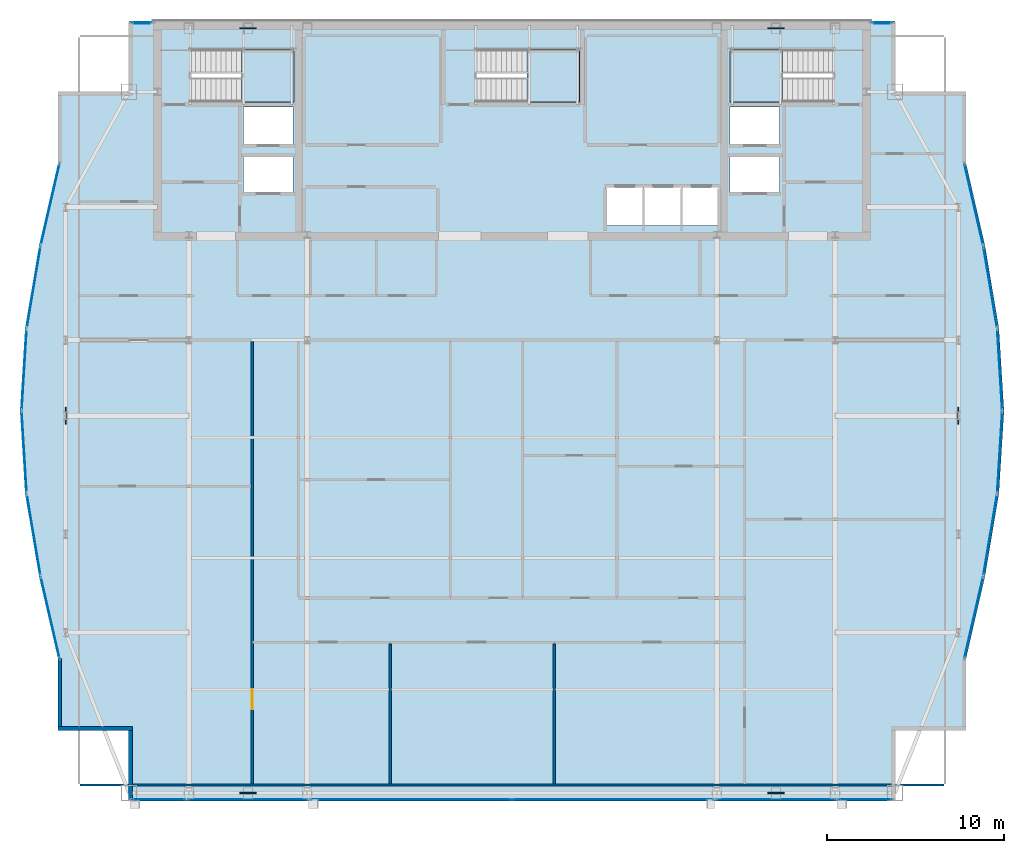
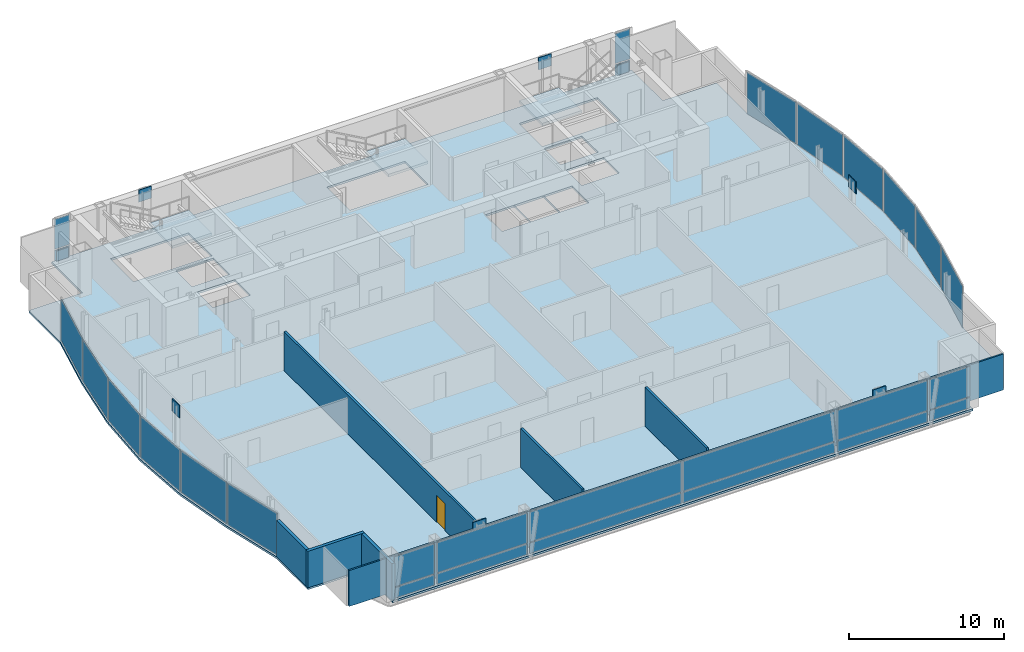
# One storey, part 23 of 29: 36 plates, 7 walls, 4 slabs, 1 door, 1 opening, 22 elements without a shape of their own.
"""IFC4 building model written with IfcOpenShell, lengths in metres."""

from ifc_helpers import new_model, si_unit, direction, frame, frame_2d, origin, origin_2d, place, context, subcontext, project, spatial, polyline, rectangle, outline, extrude, material, layer, layer_set, type_object, element, fill, aggregate, save


model = new_model("IFC4")

# Units and contexts
model_context = context("Model", 3, precision=1e-05, world=origin(), true_north=direction((0.0, 1.0)))
body_context = subcontext(model_context, "Body", "Model", "MODEL_VIEW")
ifc_project = project(units=[si_unit("LENGTHUNIT", "METRE"), si_unit("AREAUNIT", "SQUARE_METRE"), si_unit("VOLUMEUNIT", "CUBIC_METRE"), si_unit("PLANEANGLEUNIT", "RADIAN"), si_unit("MASSUNIT", "GRAM", prefix="KILO")], contexts=[model_context])

# Site, building, storey
site_placement = place(None, origin())
site = spatial("IfcSite", under=ifc_project, at=site_placement, CompositionType="ELEMENT")
building_placement = place(site_placement, origin())
building = spatial("IfcBuilding", under=site, at=building_placement, Name="Khoronbel Lancet Exchange", CompositionType="ELEMENT")
storey_placement = place(building_placement, frame((0.0, 0.0, 321.800048828125)))
storey = spatial("IfcBuildingStorey", under=building, at=storey_placement, Name="L83", CompositionType="ELEMENT", Elevation=321.800048828125)

# Curtain wall, plate
ifc_material_1 = material(Name="Low-E Solar Control Insulating Glass", Category="glass")
curtain_wall_type_1 = type_object("IfcCurtainWallType", Name="CW-4", PredefinedType="NOTDEFINED", material=ifc_material_1)
curtain_wall_1_placement = place(storey_placement, origin())
curtain_wall_1 = element("IfcCurtainWall", 1, at=curtain_wall_1_placement, inside=storey, type_object=curtain_wall_type_1, Name="Unitised curtain wall CW-L83-E05", PredefinedType="NOTDEFINED")
ifc_material_2 = material(Name="Bronze-Anodised Aluminium 6063-T6", Category="aluminium")
ifc_layer_1 = layer(ifc_material_2, 0.050048828125, Name="Bronze-Anodised Aluminium 6063-T6")
ifc_layer_set_1 = layer_set([ifc_layer_1], Name="Bronze-Anodised Aluminium 6063-T6")
plate_type_1 = type_object("IfcPlateType", Name="PLT-CSP1", PredefinedType="SHEET", material=ifc_layer_set_1)
plate_1_placement = place(storey_placement, frame((9.470458984375, 24.7138671875, 0.0849609375), z_axis=(0.0, 0.0, 1.0), x_axis=(-0.166303402909, 0.986074631142, 0.0)))
plate_1 = element("IfcPlate", 2, at=plate_1_placement, type_object=plate_type_1, Name="CW4 panel 1.1", PredefinedType="CURTAIN_PANEL", context=body_context, shape_type="SweptSolid", body=[
    extrude(rectangle(XDim=4.5751953125, YDim=0.0380859375, at=origin_2d()), origin(), (0.0, 0.0, 1.0), 3.27001953125),
])
aggregate(curtain_wall_1, [plate_1])

curtain_wall_2_placement = place(storey_placement, origin())
curtain_wall_2 = element("IfcCurtainWall", 3, at=curtain_wall_2_placement, inside=storey, type_object=curtain_wall_type_1, Name="Unitised curtain wall CW-L83-E06", PredefinedType="NOTDEFINED")
plate_2_placement = place(storey_placement, frame((8.933837890625, 29.371826171875, 0.0849609375), z_axis=(0.0, 0.0, 1.0), x_axis=(-0.061582917317, 0.99810197089, 0.0)))
plate_2 = element("IfcPlate", 4, at=plate_2_placement, type_object=plate_type_1, Name="CW4 panel 1.1", PredefinedType="CURTAIN_PANEL", context=body_context, shape_type="SweptSolid", body=[
    extrude(rectangle(XDim=4.51513671875, YDim=0.0380859375, at=origin_2d()), origin(), (0.0, 0.0, 1.0), 3.27001953125),
])
aggregate(curtain_wall_2, [plate_2])

curtain_wall_3_placement = place(storey_placement, origin())
curtain_wall_3 = element("IfcCurtainWall", 5, at=curtain_wall_3_placement, inside=storey, type_object=curtain_wall_type_1, Name="Unitised curtain wall CW-L83-E07", PredefinedType="NOTDEFINED")
plate_3_placement = place(storey_placement, frame((8.933837890625, 34.0283203125, 0.0849609375), z_axis=(0.0, 0.0, 1.0), x_axis=(0.061582917317, 0.99810197089, 0.0)))
plate_3 = element("IfcPlate", 6, at=plate_3_placement, type_object=plate_type_1, Name="CW4 panel 1.1", PredefinedType="CURTAIN_PANEL", context=body_context, shape_type="SweptSolid", body=[
    extrude(rectangle(XDim=4.51513671875, YDim=0.0380859375, at=origin_2d()), origin(), (0.0, 0.0, 1.0), 3.27001953125),
])
aggregate(curtain_wall_3, [plate_3])

curtain_wall_4_placement = place(storey_placement, origin())
curtain_wall_4 = element("IfcCurtainWall", 7, at=curtain_wall_4_placement, inside=storey, type_object=curtain_wall_type_1, Name="Unitised curtain wall CW-L83-E08", PredefinedType="NOTDEFINED")
plate_4_placement = place(storey_placement, frame((9.470458984375, 38.68603515625, 0.0849609375), z_axis=(0.0, 0.0, 1.0), x_axis=(0.166303402909, 0.986074631142, 0.0)))
plate_4 = element("IfcPlate", 8, at=plate_4_placement, type_object=plate_type_1, Name="CW4 panel 1.1", PredefinedType="CURTAIN_PANEL", context=body_context, shape_type="SweptSolid", body=[
    extrude(rectangle(XDim=4.5751953125, YDim=0.0380859375, at=origin_2d()), origin(), (0.0, 0.0, 1.0), 3.27001953125),
])
aggregate(curtain_wall_4, [plate_4])

curtain_wall_type_2 = type_object("IfcCurtainWallType", Name="CW-3", PredefinedType="NOTDEFINED", material=ifc_material_1)
curtain_wall_5_placement = place(storey_placement, origin())
curtain_wall_5 = element("IfcCurtainWall", 9, at=curtain_wall_5_placement, inside=storey, type_object=curtain_wall_type_2, Name="Unitised curtain wall CW-L83-NWFLK", PredefinedType="NOTDEFINED")
plate_5_placement = place(storey_placement, frame((15.580078125, 53.550048828125, 0.0498046875), z_axis=(0.0, 0.0, 1.0), x_axis=(-1.0, 0.0, 0.0)))
plate_5 = element("IfcPlate", 10, at=plate_5_placement, type_object=plate_type_1, Name="Insulated bronze spandrel cassette CW-L83-NWFLK", PredefinedType="SHEET", context=body_context, shape_type="SweptSolid", body=[
    extrude(rectangle(XDim=0.89599609375, YDim=0.050048828125, at=origin_2d()), origin(), (0.0, 0.0, 1.0), 0.800048828125),
])

curtain_wall_6_placement = place(storey_placement, origin())
curtain_wall_6 = element("IfcCurtainWall", 11, at=curtain_wall_6_placement, inside=storey, type_object=curtain_wall_type_2, Name="Unitised curtain wall CW-L83-NEFLK", PredefinedType="NOTDEFINED")
plate_6_placement = place(storey_placement, frame((57.320068359375, 53.550048828125, 0.0498046875), z_axis=(0.0, 0.0, 1.0), x_axis=(-1.0, 0.0, 0.0)))
plate_6 = element("IfcPlate", 12, at=plate_6_placement, type_object=plate_type_1, Name="Insulated bronze spandrel cassette CW-L83-NEFLK", PredefinedType="SHEET", context=body_context, shape_type="SweptSolid", body=[
    extrude(rectangle(XDim=0.89599609375, YDim=0.050048828125, at=origin_2d()), origin(), (0.0, 0.0, 1.0), 0.800048828125),
])

curtain_wall_7_placement = place(storey_placement, origin())
curtain_wall_7 = element("IfcCurtainWall", 13, at=curtain_wall_7_placement, inside=storey, type_object=curtain_wall_type_1, Name="Unitised curtain wall CW-L83-E18", PredefinedType="NOTDEFINED")
plate_7_placement = place(storey_placement, frame((63.4296875, 38.68603515625, 0.0849609375), z_axis=(0.0, 0.0, 1.0), x_axis=(0.166303402909, -0.986074631142, 0.0)))
plate_7 = element("IfcPlate", 14, at=plate_7_placement, type_object=plate_type_1, Name="CW4 panel 1.1", PredefinedType="CURTAIN_PANEL", context=body_context, shape_type="SweptSolid", body=[
    extrude(rectangle(XDim=4.5751953125, YDim=0.0380859375, at=origin_2d()), origin(), (0.0, 0.0, 1.0), 3.27001953125),
])
aggregate(curtain_wall_7, [plate_7])

curtain_wall_8_placement = place(storey_placement, origin())
curtain_wall_8 = element("IfcCurtainWall", 15, at=curtain_wall_8_placement, inside=storey, type_object=curtain_wall_type_1, Name="Unitised curtain wall CW-L83-E19", PredefinedType="NOTDEFINED")
plate_8_placement = place(storey_placement, frame((63.966064453125, 34.0283203125, 0.0849609375), z_axis=(0.0, 0.0, 1.0), x_axis=(0.061582917317, -0.99810197089, 0.0)))
plate_8 = element("IfcPlate", 16, at=plate_8_placement, type_object=plate_type_1, Name="CW4 panel 1.1", PredefinedType="CURTAIN_PANEL", context=body_context, shape_type="SweptSolid", body=[
    extrude(rectangle(XDim=4.51513671875, YDim=0.0380859375, at=origin_2d()), origin(), (0.0, 0.0, 1.0), 3.27001953125),
])
aggregate(curtain_wall_8, [plate_8])

curtain_wall_9_placement = place(storey_placement, origin())
curtain_wall_9 = element("IfcCurtainWall", 17, at=curtain_wall_9_placement, inside=storey, type_object=curtain_wall_type_1, Name="Unitised curtain wall CW-L83-E20", PredefinedType="NOTDEFINED")
plate_9_placement = place(storey_placement, frame((63.966064453125, 29.371826171875, 0.0849609375), z_axis=(0.0, 0.0, 1.0), x_axis=(-0.061582917317, -0.99810197089, 0.0)))
plate_9 = element("IfcPlate", 18, at=plate_9_placement, type_object=plate_type_1, Name="CW4 panel 1.1", PredefinedType="CURTAIN_PANEL", context=body_context, shape_type="SweptSolid", body=[
    extrude(rectangle(XDim=4.51513671875, YDim=0.0380859375, at=origin_2d()), origin(), (0.0, 0.0, 1.0), 3.27001953125),
])
aggregate(curtain_wall_9, [plate_9])

curtain_wall_10_placement = place(storey_placement, origin())
curtain_wall_10 = element("IfcCurtainWall", 19, at=curtain_wall_10_placement, inside=storey, type_object=curtain_wall_type_1, Name="Unitised curtain wall CW-L83-E21", PredefinedType="NOTDEFINED")
plate_10_placement = place(storey_placement, frame((63.4296875, 24.7138671875, 0.0849609375), z_axis=(0.0, 0.0, 1.0), x_axis=(-0.166303402909, -0.986074631142, 0.0)))
plate_10 = element("IfcPlate", 20, at=plate_10_placement, type_object=plate_type_1, Name="CW4 panel 1.1", PredefinedType="CURTAIN_PANEL", context=body_context, shape_type="SweptSolid", body=[
    extrude(rectangle(XDim=4.5751953125, YDim=0.0380859375, at=origin_2d()), origin(), (0.0, 0.0, 1.0), 3.27001953125),
])
aggregate(curtain_wall_10, [plate_10])

# Curtain wall, plates
curtain_wall_11_placement = place(storey_placement, origin())
curtain_wall_11 = element("IfcCurtainWall", 21, at=curtain_wall_11_placement, inside=storey, type_object=curtain_wall_type_2, Name="Unitised curtain wall CW-L83-SWB", PredefinedType="NOTDEFINED")
plate_11_placement = place(storey_placement, frame((21.550048828125, 9.7900390625, 0.0849609375), z_axis=(0.0, 0.0, 1.0), x_axis=(1.0, 0.0, 0.0)))
plate_11 = element("IfcPlate", 22, at=plate_11_placement, type_object=plate_type_1, Name="CW3 panel 1.1", PredefinedType="CURTAIN_PANEL", context=body_context, shape_type="SweptSolid", body=[
    extrude(rectangle(XDim=6.72998046875, YDim=0.0380859375, at=origin_2d()), origin(), (0.0, 0.0, 1.0), 0.822509765625),
])
plate_12_placement = place(storey_placement, frame((21.550048828125, 9.7900390625, 0.9921875), z_axis=(0.0, 0.0, 1.0), x_axis=(1.0, 0.0, 0.0)))
plate_12 = element("IfcPlate", 23, at=plate_12_placement, type_object=plate_type_1, Name="CW3 panel 1.2", PredefinedType="CURTAIN_PANEL", context=body_context, shape_type="SweptSolid", body=[
    extrude(rectangle(XDim=6.72998046875, YDim=0.0380859375, at=origin_2d()), origin(), (0.0, 0.0, 1.0), 2.362548828125),
])
aggregate(curtain_wall_11, [plate_11, plate_12])

curtain_wall_12_placement = place(storey_placement, origin())
curtain_wall_12 = element("IfcCurtainWall", 24, at=curtain_wall_12_placement, inside=storey, type_object=curtain_wall_type_2, Name="Unitised curtain wall CW-L83-SEB", PredefinedType="NOTDEFINED")
plate_13_placement = place(storey_placement, frame((51.35009765625, 9.7900390625, 0.0849609375), z_axis=(0.0, 0.0, 1.0), x_axis=(1.0, 0.0, 0.0)))
plate_13 = element("IfcPlate", 25, at=plate_13_placement, type_object=plate_type_1, Name="CW3 panel 1.1", PredefinedType="CURTAIN_PANEL", context=body_context, shape_type="SweptSolid", body=[
    extrude(rectangle(XDim=6.72998046875, YDim=0.0380859375, at=origin_2d()), origin(), (0.0, 0.0, 1.0), 0.822509765625),
])
plate_14_placement = place(storey_placement, frame((51.35009765625, 9.7900390625, 0.9921875), z_axis=(0.0, 0.0, 1.0), x_axis=(1.0, 0.0, 0.0)))
plate_14 = element("IfcPlate", 26, at=plate_14_placement, type_object=plate_type_1, Name="CW3 panel 1.2", PredefinedType="CURTAIN_PANEL", context=body_context, shape_type="SweptSolid", body=[
    extrude(rectangle(XDim=6.72998046875, YDim=0.0380859375, at=origin_2d()), origin(), (0.0, 0.0, 1.0), 2.362548828125),
])
aggregate(curtain_wall_12, [plate_13, plate_14])

# Plate
ifc_layer_2 = layer(ifc_material_1, 0.035888671875, Name="Low-E Solar Control Insulating Glass")
ifc_layer_set_2 = layer_set([ifc_layer_2], Name="Low-E Solar Control Insulating Glass")
plate_type_2 = type_object("IfcPlateType", Name="PLT-CWP1", PredefinedType="CURTAIN_PANEL", material=ifc_layer_set_2)
plate_15_placement = place(storey_placement, frame((15.580078125, 53.610107421875, 0.0849609375), z_axis=(0.0, 0.0, 1.0), x_axis=(-1.0, 0.0, 0.0)))
plate_15 = element("IfcPlate", 27, at=plate_15_placement, type_object=plate_type_2, Name="CW3 panel 1.1", PredefinedType="CURTAIN_PANEL", context=body_context, shape_type="SweptSolid", body=[
    extrude(rectangle(XDim=1.110107421875, YDim=0.0380859375, at=origin_2d()), origin(), (0.0, 0.0, 1.0), 0.822509765625),
])

plate_16_placement = place(storey_placement, frame((15.580078125, 53.610107421875, 0.9921875), z_axis=(0.0, 0.0, 1.0), x_axis=(-1.0, 0.0, 0.0)))
plate_16 = element("IfcPlate", 28, at=plate_16_placement, type_object=plate_type_2, Name="CW3 panel 1.2", PredefinedType="CURTAIN_PANEL", context=body_context, shape_type="SweptSolid", body=[
    extrude(rectangle(XDim=1.110107421875, YDim=0.0380859375, at=origin_2d()), origin(), (0.0, 0.0, 1.0), 2.362548828125),
])

aggregate(curtain_wall_5, [plate_15, plate_16, plate_5])

plate_17_placement = place(storey_placement, frame((57.320068359375, 53.610107421875, 0.0849609375), z_axis=(0.0, 0.0, 1.0), x_axis=(-1.0, 0.0, 0.0)))
plate_17 = element("IfcPlate", 29, at=plate_17_placement, type_object=plate_type_2, Name="CW3 panel 1.1", PredefinedType="CURTAIN_PANEL", context=body_context, shape_type="SweptSolid", body=[
    extrude(rectangle(XDim=1.110107421875, YDim=0.0380859375, at=origin_2d()), origin(), (0.0, 0.0, 1.0), 0.822509765625),
])

plate_18_placement = place(storey_placement, frame((57.320068359375, 53.610107421875, 0.9921875), z_axis=(0.0, 0.0, 1.0), x_axis=(-1.0, 0.0, 0.0)))
plate_18 = element("IfcPlate", 30, at=plate_18_placement, type_object=plate_type_2, Name="CW3 panel 1.2", PredefinedType="CURTAIN_PANEL", context=body_context, shape_type="SweptSolid", body=[
    extrude(rectangle(XDim=1.110107421875, YDim=0.0380859375, at=origin_2d()), origin(), (0.0, 0.0, 1.0), 2.362548828125),
])

aggregate(curtain_wall_6, [plate_17, plate_18, plate_6])

# Curtain wall, plates
curtain_wall_13_placement = place(storey_placement, origin())
curtain_wall_13 = element("IfcCurtainWall", 31, at=curtain_wall_13_placement, inside=storey, type_object=curtain_wall_type_2, Name="Unitised curtain wall CW-L83-SWV", PredefinedType="NOTDEFINED")
plate_19_placement = place(storey_placement, frame((16.52001953125, 9.7900390625, 0.0849609375), z_axis=(0.0, 0.0, 1.0), x_axis=(1.0, 0.0, 0.0)))
plate_19 = element("IfcPlate", 32, at=plate_19_placement, type_object=plate_type_2, Name="CW3 panel 1.1", PredefinedType="CURTAIN_PANEL", context=body_context, shape_type="SweptSolid", body=[
    extrude(rectangle(XDim=2.989990234375, YDim=0.0380859375, at=origin_2d()), origin(), (0.0, 0.0, 1.0), 0.822509765625),
])
plate_20_placement = place(storey_placement, frame((16.52001953125, 9.7900390625, 0.9921875), z_axis=(0.0, 0.0, 1.0), x_axis=(1.0, 0.0, 0.0)))
plate_20 = element("IfcPlate", 33, at=plate_20_placement, type_object=plate_type_2, Name="CW3 panel 1.2", PredefinedType="CURTAIN_PANEL", context=body_context, shape_type="SweptSolid", body=[
    extrude(rectangle(XDim=2.989990234375, YDim=0.0380859375, at=origin_2d()), origin(), (0.0, 0.0, 1.0), 2.362548828125),
])
aggregate(curtain_wall_13, [plate_19, plate_20])

curtain_wall_14_placement = place(storey_placement, origin())
curtain_wall_14 = element("IfcCurtainWall", 34, at=curtain_wall_14_placement, inside=storey, type_object=curtain_wall_type_2, Name="Unitised curtain wall CW-L83-SCV", PredefinedType="NOTDEFINED")
plate_21_placement = place(storey_placement, frame((30.746337890625, 9.7900390625, 0.0849609375), z_axis=(0.0, 0.0, 1.0), x_axis=(1.0, 0.0, 0.0)))
plate_21 = element("IfcPlate", 35, at=plate_21_placement, type_object=plate_type_2, Name="CW3 panel 1.1", PredefinedType="CURTAIN_PANEL", context=body_context, shape_type="SweptSolid", body=[
    extrude(rectangle(XDim=11.322509765625, YDim=0.0380859375, at=origin_2d()), origin(), (0.0, 0.0, 1.0), 0.822509765625),
])
plate_22_placement = place(storey_placement, frame((30.746337890625, 9.7900390625, 0.9921875), z_axis=(0.0, 0.0, 1.0), x_axis=(1.0, 0.0, 0.0)))
plate_22 = element("IfcPlate", 36, at=plate_22_placement, type_object=plate_type_2, Name="CW3 panel 1.2", PredefinedType="CURTAIN_PANEL", context=body_context, shape_type="SweptSolid", body=[
    extrude(rectangle(XDim=11.322509765625, YDim=0.0380859375, at=origin_2d()), origin(), (0.0, 0.0, 1.0), 2.362548828125),
])
plate_23_placement = place(storey_placement, frame((42.15380859375, 9.7900390625, 0.0849609375), z_axis=(0.0, 0.0, 1.0), x_axis=(1.0, 0.0, 0.0)))
plate_23 = element("IfcPlate", 37, at=plate_23_placement, type_object=plate_type_2, Name="CW3 panel 2.1", PredefinedType="CURTAIN_PANEL", context=body_context, shape_type="SweptSolid", body=[
    extrude(rectangle(XDim=11.322509765625, YDim=0.0380859375, at=origin_2d()), origin(), (0.0, 0.0, 1.0), 0.822509765625),
])
plate_24_placement = place(storey_placement, frame((42.15380859375, 9.7900390625, 0.9921875), z_axis=(0.0, 0.0, 1.0), x_axis=(1.0, 0.0, 0.0)))
plate_24 = element("IfcPlate", 38, at=plate_24_placement, type_object=plate_type_2, Name="CW3 panel 2.2", PredefinedType="CURTAIN_PANEL", context=body_context, shape_type="SweptSolid", body=[
    extrude(rectangle(XDim=11.322509765625, YDim=0.0380859375, at=origin_2d()), origin(), (0.0, 0.0, 1.0), 2.362548828125),
])
aggregate(curtain_wall_14, [plate_21, plate_22, plate_23, plate_24])

curtain_wall_15_placement = place(storey_placement, origin())
curtain_wall_15 = element("IfcCurtainWall", 39, at=curtain_wall_15_placement, inside=storey, type_object=curtain_wall_type_2, Name="Unitised curtain wall CW-L83-SEV", PredefinedType="NOTDEFINED")
plate_25_placement = place(storey_placement, frame((56.3798828125, 9.7900390625, 0.0849609375), z_axis=(0.0, 0.0, 1.0), x_axis=(1.0, 0.0, 0.0)))
plate_25 = element("IfcPlate", 40, at=plate_25_placement, type_object=plate_type_2, Name="CW3 panel 1.1", PredefinedType="CURTAIN_PANEL", context=body_context, shape_type="SweptSolid", body=[
    extrude(rectangle(XDim=2.989990234375, YDim=0.0380859375, at=origin_2d()), origin(), (0.0, 0.0, 1.0), 0.822509765625),
])
plate_26_placement = place(storey_placement, frame((56.3798828125, 9.7900390625, 0.9921875), z_axis=(0.0, 0.0, 1.0), x_axis=(1.0, 0.0, 0.0)))
plate_26 = element("IfcPlate", 41, at=plate_26_placement, type_object=plate_type_2, Name="CW3 panel 1.2", PredefinedType="CURTAIN_PANEL", context=body_context, shape_type="SweptSolid", body=[
    extrude(rectangle(XDim=2.989990234375, YDim=0.0380859375, at=origin_2d()), origin(), (0.0, 0.0, 1.0), 2.362548828125),
])
aggregate(curtain_wall_15, [plate_25, plate_26])

# Curtain wall, plate
curtain_wall_16_placement = place(storey_placement, origin())
curtain_wall_16 = element("IfcCurtainWall", 42, at=curtain_wall_16_placement, inside=storey, type_object=curtain_wall_type_1, Name="Unitised curtain wall CW-L83-E04", PredefinedType="NOTDEFINED")
ifc_material_3 = material(Name="Ceramic-Fritted Laminated Insulating Glass", Category="glass")
ifc_layer_3 = layer(ifc_material_3, 0.0419921875, Name="Ceramic-Fritted Laminated Insulating Glass")
ifc_layer_set_3 = layer_set([ifc_layer_3], Name="Ceramic-Fritted Laminated Insulating Glass")
plate_type_3 = type_object("IfcPlateType", Name="PLT-CWP2", PredefinedType="CURTAIN_PANEL", material=ifc_layer_set_3)
plate_27_placement = place(storey_placement, frame((10.401611328125, 20.04736328125, 0.0849609375), z_axis=(0.0, 0.0, 1.0), x_axis=(-0.224475783189, 0.974479667701, 0.0)))
plate_27 = element("IfcPlate", 43, at=plate_27_placement, type_object=plate_type_3, Name="CW4 panel 1.1", PredefinedType="CURTAIN_PANEL", context=body_context, shape_type="SweptSolid", body=[
    extrude(rectangle(XDim=4.646484375, YDim=0.0380859375, at=origin_2d()), origin(), (0.0, 0.0, 1.0), 3.27001953125),
])
aggregate(curtain_wall_16, [plate_27])

curtain_wall_17_placement = place(storey_placement, origin())
curtain_wall_17 = element("IfcCurtainWall", 44, at=curtain_wall_17_placement, inside=storey, type_object=curtain_wall_type_1, Name="Unitised curtain wall CW-L83-E09", PredefinedType="NOTDEFINED")
plate_28_placement = place(storey_placement, frame((10.401611328125, 43.352783203125, 0.0849609375), z_axis=(0.0, 0.0, 1.0), x_axis=(0.224475783189, 0.974479667701, 0.0)))
plate_28 = element("IfcPlate", 45, at=plate_28_placement, type_object=plate_type_3, Name="CW4 panel 1.1", PredefinedType="CURTAIN_PANEL", context=body_context, shape_type="SweptSolid", body=[
    extrude(rectangle(XDim=4.646484375, YDim=0.0380859375, at=origin_2d()), origin(), (0.0, 0.0, 1.0), 3.27001953125),
])
aggregate(curtain_wall_17, [plate_28])

curtain_wall_18_placement = place(storey_placement, origin())
curtain_wall_18 = element("IfcCurtainWall", 46, at=curtain_wall_18_placement, inside=storey, type_object=curtain_wall_type_1, Name="Unitised curtain wall CW-L83-E17", PredefinedType="NOTDEFINED")
plate_29_placement = place(storey_placement, frame((62.498291015625, 43.352783203125, 0.0849609375), z_axis=(0.0, 0.0, 1.0), x_axis=(0.224475783189, -0.974479667701, 0.0)))
plate_29 = element("IfcPlate", 47, at=plate_29_placement, type_object=plate_type_3, Name="CW4 panel 1.1", PredefinedType="CURTAIN_PANEL", context=body_context, shape_type="SweptSolid", body=[
    extrude(rectangle(XDim=4.646484375, YDim=0.0380859375, at=origin_2d()), origin(), (0.0, 0.0, 1.0), 3.27001953125),
])
aggregate(curtain_wall_18, [plate_29])

curtain_wall_19_placement = place(storey_placement, origin())
curtain_wall_19 = element("IfcCurtainWall", 48, at=curtain_wall_19_placement, inside=storey, type_object=curtain_wall_type_1, Name="Unitised curtain wall CW-L83-E22", PredefinedType="NOTDEFINED")
plate_30_placement = place(storey_placement, frame((62.498291015625, 20.04736328125, 0.0849609375), z_axis=(0.0, 0.0, 1.0), x_axis=(-0.224475783189, -0.974479667701, 0.0)))
plate_30 = element("IfcPlate", 49, at=plate_30_placement, type_object=plate_type_3, Name="CW4 panel 1.1", PredefinedType="CURTAIN_PANEL", context=body_context, shape_type="SweptSolid", body=[
    extrude(rectangle(XDim=4.646484375, YDim=0.0380859375, at=origin_2d()), origin(), (0.0, 0.0, 1.0), 3.27001953125),
])
aggregate(curtain_wall_19, [plate_30])

# Plates
ifc_material_4 = material(Name="Steel S460", Category="steel")
ifc_layer_4 = layer(ifc_material_4, 0.06005859375, Name="Steel S460")
ifc_layer_set_4 = layer_set([ifc_layer_4], Name="Steel S460")
plate_type_4 = type_object("IfcPlateType", Name="PLT-ND3", PredefinedType="USERDEFINED", material=ifc_layer_set_4)
for number, where, z_axis, x_axis, name in (
    (50, (21.5625, 10.14990234375, 2.77490234375), (0.0, 0.0, 1.0), (1.0, 0.0, 0.0), "ND3 perimeter brace node gusset T28-S-W"),
    (51, (51.33740234375, 10.14990234375, 2.77490234375), (0.0, 0.0, 1.0), (1.0, 0.0, 0.0), "ND3 perimeter brace node gusset T28-S-E"),
    (52, (21.5625, 53.280029296875, 2.77490234375), (0.0, 0.0, 1.0), (1.0, 0.0, 0.0), "ND3 perimeter brace node gusset T28-N-W"),
    (53, (51.33740234375, 53.280029296875, 2.77490234375), (0.0, 0.0, 1.0), (1.0, 0.0, 0.0), "ND3 perimeter brace node gusset T28-N-E"),
    (54, (11.27001953125, 31.425048828125, 2.77490234375), (0.0, 0.0, 1.0), (0.0, 1.0, 0.0), "ND3 perimeter brace node gusset T28-W-P"),
    (55, (61.6298828125, 31.425048828125, 2.77490234375), (0.0, 0.0, 1.0), (0.0, 1.0, 0.0), "ND3 perimeter brace node gusset T28-E-P"),
):
    element("IfcPlate", number, at=place(storey_placement, frame(where, z_axis=z_axis, x_axis=x_axis)), inside=storey, type_object=plate_type_4, Name=name, ObjectType="GUSSET_PLATE", PredefinedType="USERDEFINED", context=body_context, shape_type="SweptSolid", body=[
        extrude(rectangle(XDim=0.949951171875, YDim=0.06005859375, at=origin_2d()), origin(), (0.0, 0.0, 1.0), 0.949951171875),
    ])

# Slab
ifc_material_5 = material(Name="Concrete C40/50", Category="concrete")
ifc_layer_5 = layer(ifc_material_5, 0.159912109375, Name="Concrete C40/50")
ifc_layer_set_5 = layer_set([ifc_layer_5], Name="Concrete C40/50")
slab_type_1 = type_object("IfcSlabType", Name="SL-FL160", PredefinedType="FLOOR", material=ifc_layer_set_5)
slab_1_placement = place(storey_placement, frame((0.0, 0.0, -0.16015625)))
element("IfcSlab", 56, at=slab_1_placement, inside=storey, type_object=slab_type_1, Name="Level L83 composite structural floor slab", PredefinedType="FLOOR", context=body_context, shape_type="SweptSolid", body=[
    extrude(outline(polyline([(14.85009765625, 9.699951171875), (58.050048828125, 9.699951171875), (58.050048828125, 13.699951171875), (62.050048828125, 13.699951171875), (62.050048828125, 17.699951171875), (63.125, 22.36669921875), (63.912109375, 27.033203125), (64.199951171875, 31.699951171875), (63.912109375, 36.36669921875), (63.125, 41.033203125), (62.050048828125, 45.699951171875), (62.050048828125, 49.699951171875), (58.050048828125, 49.699951171875), (58.050048828125, 53.699951171875), (14.85009765625, 53.699951171875), (14.85009765625, 49.699951171875), (10.85009765625, 49.699951171875), (10.85009765625, 45.699951171875), (9.77490234375, 41.033203125), (8.988037109375, 36.36669921875), (8.699951171875, 31.699951171875), (8.988037109375, 27.033203125), (9.77490234375, 22.36669921875), (10.85009765625, 17.699951171875), (10.85009765625, 13.699951171875), (14.85009765625, 13.699951171875), (14.85009765625, 9.699951171875)]), holes=[polyline([(18.324951171875, 49.1201171875), (24.14990234375, 49.1201171875), (24.14990234375, 52.10009765625), (18.324951171875, 52.10009765625), (18.324951171875, 49.1201171875)]), polyline([(48.75, 49.1201171875), (54.574951171875, 49.1201171875), (54.574951171875, 52.10009765625), (48.75, 52.10009765625), (48.75, 49.1201171875)]), polyline([(34.425048828125, 49.1201171875), (40.25, 49.1201171875), (40.25, 52.10009765625), (34.425048828125, 52.10009765625), (34.425048828125, 49.1201171875)]), polyline([(41.739990234375, 42.14990234375), (43.8798828125, 42.14990234375), (43.8798828125, 44.300048828125), (41.739990234375, 44.300048828125), (41.739990234375, 42.14990234375)]), polyline([(43.89990234375, 42.14990234375), (46.0400390625, 42.14990234375), (46.0400390625, 44.300048828125), (43.89990234375, 44.300048828125), (43.89990234375, 42.14990234375)]), polyline([(46.06005859375, 42.14990234375), (48.199951171875, 42.14990234375), (48.199951171875, 44.300048828125), (46.06005859375, 44.300048828125), (46.06005859375, 42.14990234375)]), polyline([(21.300048828125, 46.75), (24.10009765625, 46.75), (24.10009765625, 48.85009765625), (21.300048828125, 48.85009765625), (21.300048828125, 46.75)]), polyline([(48.75, 46.75), (51.550048828125, 46.75), (51.550048828125, 48.85009765625), (48.75, 48.85009765625), (48.75, 46.75)]), polyline([(21.300048828125, 44.050048828125), (24.10009765625, 44.050048828125), (24.10009765625, 46.050048828125), (21.300048828125, 46.050048828125), (21.300048828125, 44.050048828125)]), polyline([(48.75, 44.050048828125), (51.550048828125, 44.050048828125), (51.550048828125, 46.050048828125), (48.75, 46.050048828125), (48.75, 44.050048828125)])]), origin(), (0.0, 0.0, 1.0), 0.16015625),
])

# Stair, slab
stair_type = type_object("IfcStairType", Name="STR-CORE150", PredefinedType="HALF_TURN_STAIR", material=ifc_material_5)
stair_1_placement = place(storey_placement, origin())
stair_1 = element("IfcStair", 57, at=stair_1_placement, inside=storey, type_object=stair_type, Name="L83 Protected Exit Stair ST1", PredefinedType="HALF_TURN_STAIR")
ifc_layer_6 = layer(ifc_material_5, 0.199951171875, Name="Concrete C40/50")
ifc_layer_set_6 = layer_set([ifc_layer_6], Name="Concrete C40/50")
slab_type_2 = type_object("IfcSlabType", Name="SL-LND180", PredefinedType="LANDING", material=ifc_layer_set_6)
slab_2_placement = place(storey_placement, frame((0.0, 0.0, 1.599853515625)))
slab_2 = element("IfcSlab", 58, at=slab_2_placement, type_object=slab_type_2, Name="ST1 landing 1", PredefinedType="LANDING", context=body_context, shape_type="SweptSolid", body=[
    extrude(outline(polyline([(21.199951171875, 49.1201171875), (24.14990234375, 49.1201171875), (24.14990234375, 52.10009765625), (21.199951171875, 52.10009765625), (21.199951171875, 49.1201171875)])), origin(), (0.0, 0.0, 1.0), 0.2001953125),
])
aggregate(stair_1, [slab_2])

stair_2_placement = place(storey_placement, origin())
stair_2 = element("IfcStair", 59, at=stair_2_placement, inside=storey, type_object=stair_type, Name="L83 Protected Exit Stair ST2", PredefinedType="HALF_TURN_STAIR")
slab_3_placement = place(storey_placement, frame((0.0, 0.0, 1.599853515625)))
slab_3 = element("IfcSlab", 60, at=slab_3_placement, type_object=slab_type_2, Name="ST2 landing 1", PredefinedType="LANDING", context=body_context, shape_type="SweptSolid", body=[
    extrude(outline(polyline([(51.699951171875, 52.10009765625), (48.75, 52.10009765625), (48.75, 49.1201171875), (51.699951171875, 49.1201171875), (51.699951171875, 52.10009765625)])), origin(), (0.0, 0.0, 1.0), 0.2001953125),
])
aggregate(stair_2, [slab_3])

stair_3_placement = place(storey_placement, origin())
stair_3 = element("IfcStair", 61, at=stair_3_placement, inside=storey, type_object=stair_type, Name="L83 Protected Exit Stair ST3", PredefinedType="HALF_TURN_STAIR")
slab_4_placement = place(storey_placement, frame((0.0, 0.0, 1.599853515625)))
slab_4 = element("IfcSlab", 62, at=slab_4_placement, type_object=slab_type_2, Name="ST3 landing 1", PredefinedType="LANDING", context=body_context, shape_type="SweptSolid", body=[
    extrude(outline(polyline([(37.300048828125, 49.1201171875), (40.25, 49.1201171875), (40.25, 52.10009765625), (37.300048828125, 52.10009765625), (37.300048828125, 49.1201171875)])), origin(), (0.0, 0.0, 1.0), 0.2001953125),
])
aggregate(stair_3, [slab_4])

# Walls
ifc_material_6 = material(Name="Precast concrete C40/50", Category="concrete")
ifc_layer_7 = layer(ifc_material_6, 0.25, Name="Precast concrete C40/50")
ifc_layer_set_7 = layer_set([ifc_layer_7], Name="Precast concrete C40/50")
wall_type_1 = type_object("IfcWallType", Name="WL-EXT250", PredefinedType="SOLIDWALL", material=ifc_layer_set_7)
wall_1_placement = place(storey_placement, frame((14.93994140625, 9.77001953125, 0.0), z_axis=(0.0, 0.0, 1.0), x_axis=(0.0, 1.0, 0.0)))
element("IfcWall", 63, at=wall_1_placement, inside=storey, type_object=wall_type_1, Name="Level L83 notched-corner limestone pier 01", PredefinedType="SOLIDWALL", context=body_context, shape_type="SweptSolid", body=[
    extrude(rectangle(XDim=3.909912109375, YDim=0.219970703125, at=frame_2d((1.955078125, 0.0))), origin(), (0.0, 0.0, 1.0), 2.8798828125),
])
wall_2_placement = place(storey_placement, frame((15.050048828125, 13.7900390625, 0.0), z_axis=(0.0, 0.0, 1.0), x_axis=(-1.0, 0.0, 0.0)))
element("IfcWall", 64, at=wall_2_placement, inside=storey, type_object=wall_type_1, Name="Level L83 notched-corner limestone pier 02", PredefinedType="SOLIDWALL", context=body_context, shape_type="SweptSolid", body=[
    extrude(rectangle(XDim=4.219970703125, YDim=0.219970703125, at=frame_2d((2.10986328125, 0.0))), origin(), (0.0, 0.0, 1.0), 2.8798828125),
])
wall_3_placement = place(storey_placement, frame((10.93994140625, 13.89990234375, 0.0), z_axis=(0.0, 0.0, 1.0), x_axis=(0.0, 1.0, 0.0)))
element("IfcWall", 65, at=wall_3_placement, inside=storey, type_object=wall_type_1, Name="Level L83 notched-corner limestone pier 03", PredefinedType="SOLIDWALL", context=body_context, shape_type="SweptSolid", body=[
    extrude(rectangle(XDim=3.830322265625, YDim=0.219970703125, at=frame_2d((1.9150390625, 0.0))), origin(), (0.0, 0.0, 1.0), 2.8798828125),
])
ifc_material_7 = material(Name="Acoustic Metal-Stud & Mineral-Wool Gypsum Partition 120 mm", Category="gypsum")
ifc_layer_8 = layer(ifc_material_7, 0.1201171875, Name="Acoustic Metal-Stud & Mineral-Wool Gypsum Partition 120 mm")
ifc_layer_set_8 = layer_set([ifc_layer_8], Name="Acoustic Metal-Stud & Mineral-Wool Gypsum Partition 120 mm")
wall_type_2 = type_object("IfcWallType", Name="WL-PRT120", PredefinedType="PARTITIONING", material=ifc_layer_set_8)
wall_4_placement = place(storey_placement, frame((12.094970703125, 10.60009765625, 0.0), z_axis=(0.0, 0.0, 1.0), x_axis=(1.0, 0.0, 0.0)))
element("IfcWall", 66, at=wall_4_placement, inside=storey, type_object=wall_type_2, Name="Level L83 interior partition PW-LIN-S", PredefinedType="PARTITIONING", context=body_context, shape_type="SweptSolid", body=[
    extrude(rectangle(XDim=48.7099609375, YDim=0.1201171875, at=frame_2d((24.35498046875, 0.0))), origin(), (0.0, 0.0, 1.0), 2.829833984375),
])

# Wall, opening, door
ifc_material_8 = material(Name="Fire-Rated Twin-Stud Acoustic Gypsum Partition 150 mm", Category="gypsum")
ifc_layer_9 = layer(ifc_material_8, 0.14990234375, Name="Fire-Rated Twin-Stud Acoustic Gypsum Partition 150 mm")
ifc_layer_set_9 = layer_set([ifc_layer_9], Name="Fire-Rated Twin-Stud Acoustic Gypsum Partition 150 mm")
wall_type_3 = type_object("IfcWallType", Name="WL-PRT150C", PredefinedType="PARTITIONING", material=ifc_layer_set_9)
wall_5_placement = place(storey_placement, frame((21.800048828125, 10.6650390625, 0.0), z_axis=(0.0, 0.0, 1.0), x_axis=(0.0, 1.0, 0.0)))
wall_5 = element("IfcWall", 67, at=wall_5_placement, inside=storey, type_object=wall_type_3, Name="Level L83 interior partition PW-Z4-WW", PredefinedType="PARTITIONING", context=body_context, shape_type="SweptSolid", body=[
    extrude(rectangle(XDim=24.955078125, YDim=0.14990234375, at=frame_2d((12.4775390625, 0.0))), origin(), (0.0, 0.0, 1.0), 3.070068359375),
])
opening_placement = place(wall_5_placement, frame((4.199951171875, 0.0, 0.0)))
opening = element("IfcOpeningElement", 68, at=opening_placement, cuts=wall_5, Name="Opening D6", PredefinedType="OPENING", context=body_context, shape_type="SweptSolid", body=[
    extrude(rectangle(XDim=1.10009765625, YDim=2.10009765625, at=frame_2d((0.550048828125, 1.050048828125))), frame((0.0, 0.0849609375, 0.0), z_axis=(0.0, -1.0, 0.0), x_axis=(1.0, 0.0, 0.0)), (0.0, 0.0, 1.0), 0.169921875),
])
ifc_material_9 = material(Name="Acoustic Bronze-Veneer Executive Suite Door", Category="wood")
door_type = type_object("IfcDoorType", Name="DR-D6", OperationType="NOTDEFINED", PredefinedType="DOOR", material=ifc_material_9)
door_placement = place(opening_placement, origin())
door = element("IfcDoor", 69, at=door_placement, inside=storey, type_object=door_type, Name="West lens presidential door L83-1", OperationType="SINGLE_SWING_LEFT", OverallHeight=2.10009765625, OverallWidth=1.10009765625, PredefinedType="DOOR", context=body_context, shape_type="SweptSolid", body=[
    extrude(rectangle(XDim=1.10009765625, YDim=2.10009765625, at=frame_2d((0.550048828125, 1.050048828125))), frame((0.0, 0.02490234375, 0.0), z_axis=(0.0, -1.0, 0.0), x_axis=(1.0, 0.0, 0.0)), (0.0, 0.0, 1.0), 0.050048828125),
])
fill(opening, door)

# Walls
for number, where, z_axis, x_axis, name in (
    (70, (29.578369140625, 10.6650390625, 0.0), (0.0, 0.0, 1.0), (0.0, 1.0, 0.0), "Level L83 interior partition PW-Z4S-V1"),
    (71, (38.83837890625, 10.6650390625, 0.0), (0.0, 0.0, 1.0), (0.0, 1.0, 0.0), "Level L83 interior partition PW-Z4S-V2"),
):
    element("IfcWall", number, at=place(storey_placement, frame(where, z_axis=z_axis, x_axis=x_axis)), inside=storey, type_object=wall_type_3, Name=name, PredefinedType="PARTITIONING", context=body_context, shape_type="SweptSolid", body=[
        extrude(rectangle(XDim=7.89990234375, YDim=0.14990234375, at=frame_2d((3.949951171875, 0.0))), origin(), (0.0, 0.0, 1.0), 3.070068359375),
    ])

save(model, "model.ifc")
